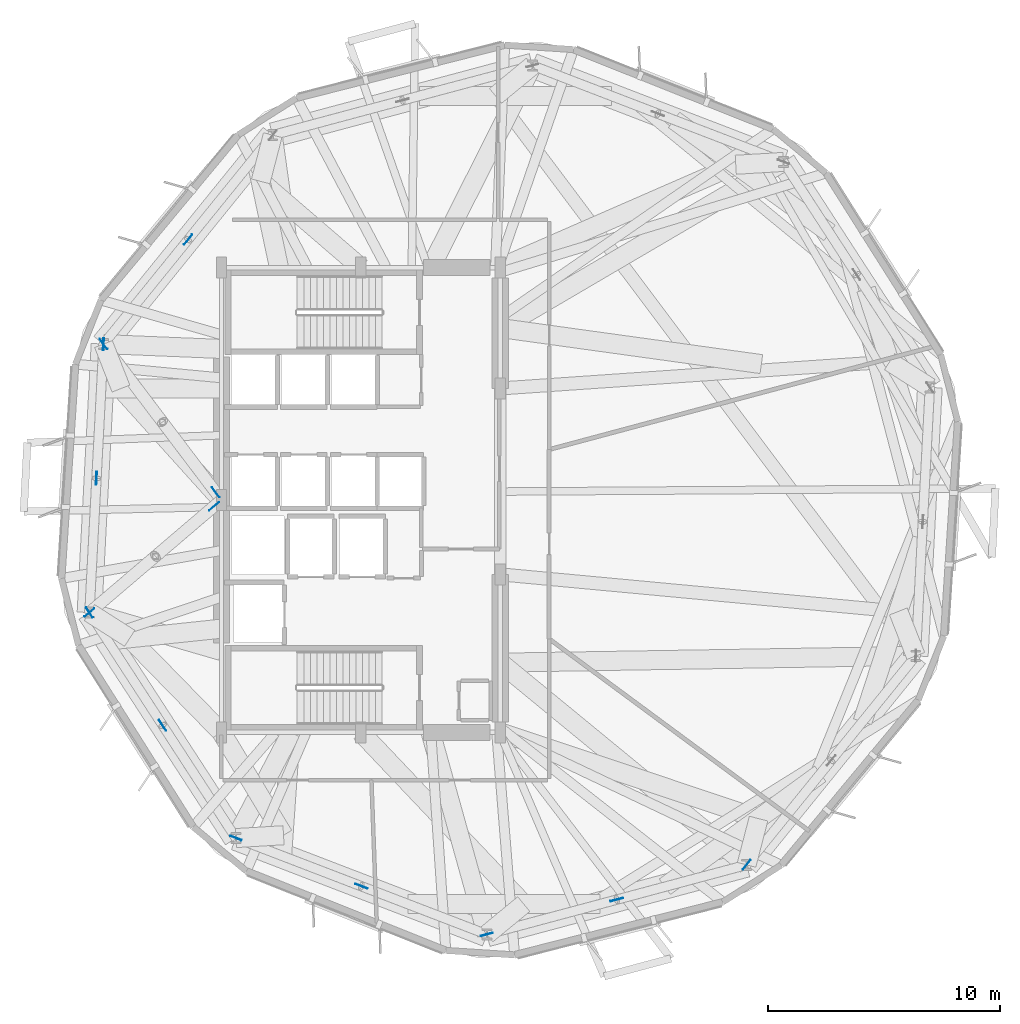
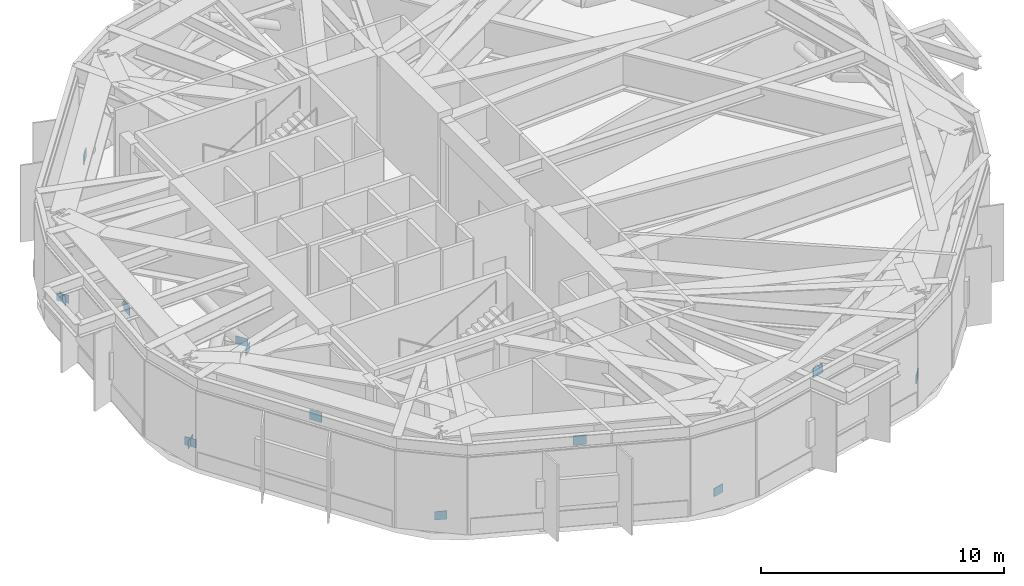
# One storey, part 6 of 13: 14 plates.
"""IFC4 building model written with IfcOpenShell, lengths in metres."""

from ifc_helpers import new_model, si_unit, direction, frame, origin, origin_2d, place, context, subcontext, project, spatial, rectangle, extrude, material, layer, layer_set, type_object, element, save


model = new_model("IFC4")

# Units and contexts
model_context = context("Model", 3, precision=1e-05, world=origin(), true_north=direction((0.0, 1.0)))
body_context = subcontext(model_context, "Body", "Model", "MODEL_VIEW")
ifc_project = project(units=[si_unit("LENGTHUNIT", "METRE"), si_unit("AREAUNIT", "SQUARE_METRE"), si_unit("VOLUMEUNIT", "CUBIC_METRE"), si_unit("PLANEANGLEUNIT", "RADIAN"), si_unit("MASSUNIT", "GRAM", prefix="KILO")], contexts=[model_context])

# Site, building, storey
site_placement = place(None, origin())
site = spatial("IfcSite", under=ifc_project, at=site_placement, CompositionType="ELEMENT")
building_placement = place(site_placement, origin())
building = spatial("IfcBuilding", under=site, at=building_placement, Name="Soratama Intermodal Tower", CompositionType="ELEMENT")
storey_placement = place(building_placement, frame((0.0, 0.0, 82.60009765625)))
storey = spatial("IfcBuildingStorey", under=building, at=storey_placement, Name="L19", CompositionType="ELEMENT", Elevation=82.60009765625)

# Plates
ifc_material_1 = material(Name="Structural steel ASTM A992 Grade 50", Category="steel")
ifc_layer_1 = layer(ifc_material_1, 0.02392578125)
ifc_layer_set_1 = layer_set([ifc_layer_1], Name="Structural steel ASTM A992 Grade 50")
plate_type_1 = type_object("IfcPlateType", Name="PL-GUSSET-24", PredefinedType="USERDEFINED", material=ifc_layer_set_1)
for number, where, z_axis, x_axis, name in (
    (1, (26.91796875, 20.15478515625, 0.02001953125), (0.0, 0.0, 1.0), (-0.760972426325, -0.648784221735, 0.0), "L19 Outrigger Outer Gusset 06"),
    (2, (32.280517578125, 24.7275390625, 0.02001953125), (0.0, 0.0, 1.0), (-0.760972426325, -0.648784221735, 0.0), "L19 Outrigger Core Gusset 06"),
    (3, (27.5234375, 31.70849609375, 0.02001953125), (0.0, 0.0, 1.0), (-0.603486360302, 0.797373320929, 0.0), "L19 Outrigger Outer Gusset 05"),
    (4, (32.346435546875, 25.3349609375, 0.02001953125), (0.0, 0.0, 1.0), (-0.603486360302, 0.797373320929, 0.0), "L19 Outrigger Core Gusset 05"),
):
    element("IfcPlate", number, at=place(storey_placement, frame(where, z_axis=z_axis, x_axis=x_axis)), inside=storey, type_object=plate_type_1, Name=name, ObjectType="GUSSET PLATE", PredefinedType="USERDEFINED", context=body_context, shape_type="SweptSolid", body=[
        extrude(rectangle(XDim=0.5400390625, YDim=0.02392578125, at=origin_2d()), origin(), (0.0, 0.0, 1.0), 0.39990234375),
    ])
ifc_material_2 = material(Name="Structural steel ASTM A992 Grade 50", Category="steel")
ifc_layer_2 = layer(ifc_material_2, 0.030029296875)
ifc_layer_set_2 = layer_set([ifc_layer_2], Name="Structural steel ASTM A992 Grade 50")
plate_type_2 = type_object("IfcPlateType", Name="PL-GUSSET-30", PredefinedType="USERDEFINED", material=ifc_layer_set_2)
for number, where, z_axis, x_axis, name in (
    (5, (31.163818359375, 36.204345703125, 3.099853515625), (0.0, 0.0, 1.0), (-0.62932039105, -0.777145961457, 0.0), "L19 Belt Truss Apex Gusset 04"),
    (6, (27.220703125, 25.931884765625, 3.099853515625), (0.0, 0.0, 1.0), (-0.052335956243, -0.998629534755, 0.0), "L19 Belt Truss Apex Gusset 05"),
):
    element("IfcPlate", number, at=place(storey_placement, frame(where, z_axis=z_axis, x_axis=x_axis)), inside=storey, type_object=plate_type_2, Name=name, ObjectType="GUSSET PLATE", PredefinedType="USERDEFINED", context=body_context, shape_type="SweptSolid", body=[
        extrude(rectangle(XDim=0.56005859375, YDim=0.030029296875, at=origin_2d()), origin(), (0.0, 0.0, 1.0), 0.47998046875),
    ])
plate_1_placement = place(storey_placement, frame((27.5234375, 31.70849609375, -0.02001953125), z_axis=(0.0, 0.0, 1.0), x_axis=(-0.052335956243, -0.998629534755, 0.0)))
element("IfcPlate", 7, at=plate_1_placement, inside=storey, type_object=plate_type_2, Name="L19 Belt Truss Foot Gusset 05", ObjectType="GUSSET PLATE", PredefinedType="USERDEFINED", context=body_context, shape_type="SweptSolid", body=[
    extrude(rectangle(XDim=0.52001953125, YDim=0.030029296875, at=origin_2d()), origin(), (0.0, 0.0, 1.0), 0.419921875),
])
plate_2_placement = place(storey_placement, frame((30.068603515625, 15.303466796875, 3.099853515625), z_axis=(0.0, 0.0, 1.0), x_axis=(0.544639035015, -0.838670567945, 0.0)))
element("IfcPlate", 8, at=plate_2_placement, inside=storey, type_object=plate_type_2, Name="L19 Belt Truss Apex Gusset 06", ObjectType="GUSSET PLATE", PredefinedType="USERDEFINED", context=body_context, shape_type="SweptSolid", body=[
    extrude(rectangle(XDim=0.56005859375, YDim=0.030029296875, at=origin_2d()), origin(), (0.0, 0.0, 1.0), 0.47998046875),
])
plate_3_placement = place(storey_placement, frame((26.91796875, 20.15478515625, -0.02001953125), z_axis=(0.0, 0.0, 1.0), x_axis=(0.544639035015, -0.838670567945, 0.0)))
element("IfcPlate", 9, at=plate_3_placement, inside=storey, type_object=plate_type_2, Name="L19 Belt Truss Foot Gusset 06", ObjectType="GUSSET PLATE", PredefinedType="USERDEFINED", context=body_context, shape_type="SweptSolid", body=[
    extrude(rectangle(XDim=0.52001953125, YDim=0.030029296875, at=origin_2d()), origin(), (0.0, 0.0, 1.0), 0.419921875),
])
plate_4_placement = place(storey_placement, frame((38.61962890625, 8.37890625, 3.099853515625), z_axis=(0.0, 0.0, 1.0), x_axis=(0.933580426497, -0.358367949545, 0.0)))
element("IfcPlate", 10, at=plate_4_placement, inside=storey, type_object=plate_type_2, Name="L19 Belt Truss Apex Gusset 07", ObjectType="GUSSET PLATE", PredefinedType="USERDEFINED", context=body_context, shape_type="SweptSolid", body=[
    extrude(rectangle(XDim=0.56005859375, YDim=0.030029296875, at=origin_2d()), origin(), (0.0, 0.0, 1.0), 0.47998046875),
])
plate_5_placement = place(storey_placement, frame((33.218994140625, 10.451904296875, -0.02001953125), z_axis=(0.0, 0.0, 1.0), x_axis=(0.933580426497, -0.358367949545, 0.0)))
element("IfcPlate", 11, at=plate_5_placement, inside=storey, type_object=plate_type_2, Name="L19 Belt Truss Foot Gusset 07", ObjectType="GUSSET PLATE", PredefinedType="USERDEFINED", context=body_context, shape_type="SweptSolid", body=[
    extrude(rectangle(XDim=0.52001953125, YDim=0.030029296875, at=origin_2d()), origin(), (0.0, 0.0, 1.0), 0.419921875),
])
plate_6_placement = place(storey_placement, frame((49.60791015625, 7.802978515625, 3.099853515625), z_axis=(0.0, 0.0, 1.0), x_axis=(0.965925826289, 0.258819045103, 0.0)))
element("IfcPlate", 12, at=plate_6_placement, inside=storey, type_object=plate_type_2, Name="L19 Belt Truss Apex Gusset 08", ObjectType="GUSSET PLATE", PredefinedType="USERDEFINED", context=body_context, shape_type="SweptSolid", body=[
    extrude(rectangle(XDim=0.56005859375, YDim=0.030029296875, at=origin_2d()), origin(), (0.0, 0.0, 1.0), 0.47998046875),
])
for number, where, z_axis, x_axis, name in (
    (13, (44.020263671875, 6.3056640625, -0.02001953125), (0.0, 0.0, 1.0), (0.965925826289, 0.258819045103, 0.0), "L19 Belt Truss Foot Gusset 08"),
    (14, (55.195556640625, 9.300048828125, -0.02001953125), (0.0, 0.0, 1.0), (0.62932039105, 0.777145961457, 0.0), "L19 Belt Truss Foot Gusset 09"),
):
    element("IfcPlate", number, at=place(storey_placement, frame(where, z_axis=z_axis, x_axis=x_axis)), inside=storey, type_object=plate_type_2, Name=name, ObjectType="GUSSET PLATE", PredefinedType="USERDEFINED", context=body_context, shape_type="SweptSolid", body=[
        extrude(rectangle(XDim=0.52001953125, YDim=0.030029296875, at=origin_2d()), origin(), (0.0, 0.0, 1.0), 0.419921875),
    ])

save(model, "model.ifc")
